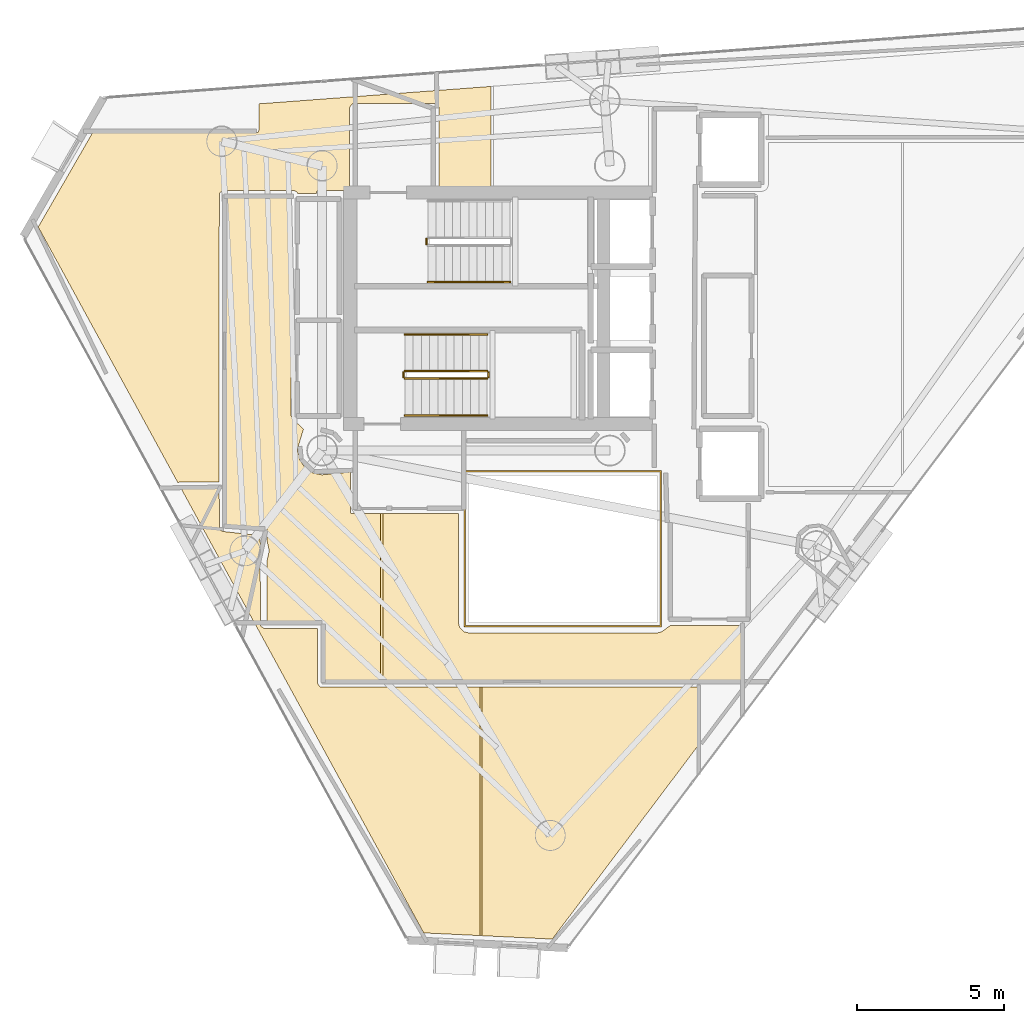
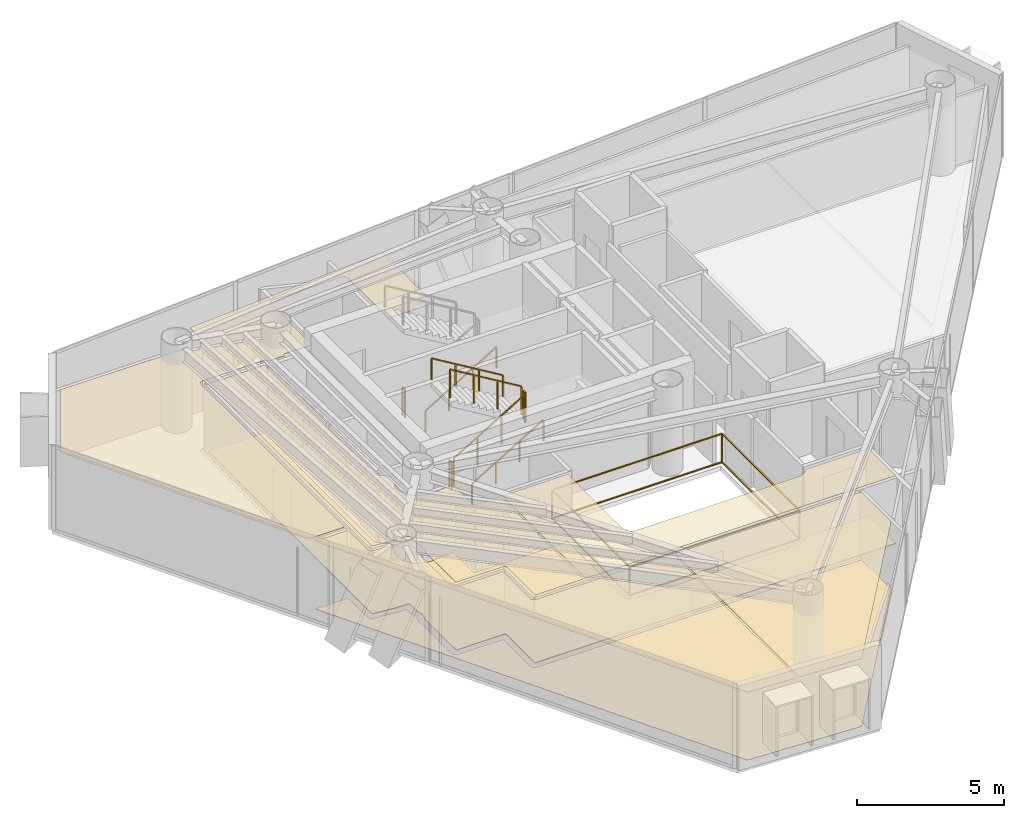
# One storey, part 17 of 19: 9 railings, 7 coverings.
"""IFC4 building model written with IfcOpenShell, lengths in metres."""

from ifc_helpers import new_model, si_unit, direction, frame, origin, origin_2d, place, context, subcontext, project, spatial, polyline, rectangle, outline, extrude, material, layer, layer_set, type_object, element, save


model = new_model("IFC4")

# Units and contexts
model_context = context("Model", 3, precision=1e-05, world=origin(), true_north=direction((0.0, 1.0)))
body_context = subcontext(model_context, "Body", "Model", "MODEL_VIEW")
ifc_project = project(units=[si_unit("LENGTHUNIT", "METRE"), si_unit("AREAUNIT", "SQUARE_METRE"), si_unit("VOLUMEUNIT", "CUBIC_METRE"), si_unit("PLANEANGLEUNIT", "RADIAN"), si_unit("MASSUNIT", "GRAM", prefix="KILO")], contexts=[model_context])

# Site, building, storey
site_placement = place(None, origin())
site = spatial("IfcSite", under=ifc_project, at=site_placement, CompositionType="ELEMENT")
building_placement = place(site_placement, origin())
building = spatial("IfcBuilding", under=site, at=building_placement, Name="Qianvela Tower", CompositionType="ELEMENT")
storey_placement = place(building_placement, frame((0.0, 0.0, 268.60009765625)))
storey = spatial("IfcBuildingStorey", under=building, at=storey_placement, Name="L69", CompositionType="ELEMENT", Elevation=268.60009765625)

# Coverings
ifc_material_1 = material(Name="Perforated Mineral Acoustic Ceiling Tile")
ifc_layer_1 = layer(ifc_material_1, 0.02490234375)
ifc_layer_set_1 = layer_set([ifc_layer_1], Name="Perforated Mineral Acoustic Ceiling Tile")
covering_type_1 = type_object("IfcCoveringType", Name="COV-CEIL-ACOUSTIC-25", PredefinedType="CEILING", material=ifc_layer_set_1)
covering_1_placement = place(storey_placement, frame((0.0, 0.0, 2.81494140625)))
element("IfcCovering", 1, at=covering_1_placement, inside=storey, type_object=covering_type_1, Name="L69 Acoustic Ceiling Bay 1 L69 Floor Corridor", PredefinedType="CEILING", context=body_context, shape_type="SweptSolid", body=[
    extrude(outline(polyline([(27.791015625, 24.010986328125), (27.789794921875, 24.003173828125), (27.775390625, 23.85791015625), (27.77490234375, 23.85009765625), (27.775390625, 23.84228515625), (27.776611328125, 23.83447265625), (27.833251953125, 23.54931640625), (27.835205078125, 23.541748046875), (27.837890625, 23.5341796875), (27.84130859375, 23.527099609375), (27.84521484375, 23.5205078125), (28.006591796875, 23.27880859375), (28.011474609375, 23.2724609375), (28.0166015625, 23.2666015625), (28.0224609375, 23.261474609375), (28.02880859375, 23.256591796875), (28.2705078125, 23.09521484375), (28.277099609375, 23.09130859375), (28.2841796875, 23.087890625), (28.291748046875, 23.085205078125), (28.29931640625, 23.083251953125), (28.58447265625, 23.026611328125), (28.59228515625, 23.025390625), (28.60009765625, 23.02490234375), (28.60791015625, 23.025390625), (29.55810546875, 23.118896484375), (29.55810546875, 21.780029296875), (29.558349609375, 21.772216796875), (29.5595703125, 21.764404296875), (29.561279296875, 21.7568359375), (29.564208984375, 21.74951171875), (29.5673828125, 21.7421875), (29.571533203125, 21.735595703125), (29.576171875, 21.729248046875), (29.581298828125, 21.723388671875), (29.587158203125, 21.71826171875), (29.593505859375, 21.71337890625), (29.600341796875, 21.70947265625), (29.607421875, 21.7060546875), (29.61474609375, 21.703369140625), (29.622314453125, 21.701416015625), (29.630126953125, 21.700439453125), (29.637939453125, 21.699951171875), (30.5888671875, 21.699951171875), (30.5888671875, 16.030029296875), (28.679931640625, 16.030029296875), (28.679931640625, 17.949951171875), (28.6796875, 17.957763671875), (28.678466796875, 17.965576171875), (28.676513671875, 17.97314453125), (28.673828125, 17.980712890625), (28.670654296875, 17.98779296875), (28.66650390625, 17.994384765625), (28.661865234375, 18.000732421875), (28.656494140625, 18.006591796875), (28.65087890625, 18.01171875), (28.644287109375, 18.0166015625), (28.6376953125, 18.0205078125), (28.630615234375, 18.02392578125), (28.623291015625, 18.026611328125), (28.615478515625, 18.028564453125), (28.60791015625, 18.029541015625), (28.60009765625, 18.030029296875), (26.72998046875, 18.030029296875), (26.72998046875, 20.123779296875), (26.795166015625, 20.419921875), (26.79638671875, 20.42822265625), (26.797119140625, 20.43701171875), (26.79638671875, 20.44580078125), (26.795166015625, 20.4541015625), (26.72998046875, 20.75), (26.72998046875, 21.14990234375), (26.7294921875, 21.15771484375), (26.728515625, 21.16552734375), (26.7265625, 21.173095703125), (26.723876953125, 21.1806640625), (26.720703125, 21.187744140625), (26.716552734375, 21.1943359375), (26.7119140625, 21.20068359375), (26.70654296875, 21.20654296875), (26.70068359375, 21.2119140625), (26.6943359375, 21.216552734375), (26.687744140625, 21.220703125), (26.6806640625, 21.223876953125), (26.673095703125, 21.2265625), (26.66552734375, 21.228515625), (26.65771484375, 21.2294921875), (26.64990234375, 21.22998046875), (26.18017578125, 21.22998046875), (25.330078125, 21.32470703125), (25.330078125, 32.469970703125), (27.5400390625, 32.469970703125), (27.5400390625, 25.066650390625), (27.540283203125, 25.05908203125), (27.54150390625, 25.051513671875), (27.543212890625, 25.044189453125), (27.545654296875, 25.037109375), (27.548583984375, 25.0302734375), (27.604736328125, 24.919921875), (27.6083984375, 24.91357421875), (27.612548828125, 24.90771484375), (27.6171875, 24.902099609375), (27.622314453125, 24.89697265625), (27.965087890625, 24.58642578125), (27.792724609375, 24.0185546875), (27.791015625, 24.010986328125)])), origin(), (0.0, 0.0, 1.0), 0.02490234375),
])
covering_2_placement = place(storey_placement, frame((0.0, 0.0, 2.81494140625)))
element("IfcCovering", 2, at=covering_2_placement, inside=storey, type_object=covering_type_1, Name="L69 Acoustic Ceiling Bay 2 L69 Floor Corridor", PredefinedType="CEILING", context=body_context, shape_type="SweptSolid", body=[
    extrude(outline(polyline([(33.239990234375, 21.699951171875), (33.239990234375, 18.0), (33.240478515625, 17.990234375), (33.242431640625, 17.980712890625), (33.275390625, 17.8486328125), (33.277587890625, 17.841796875), (33.2802734375, 17.8349609375), (33.283447265625, 17.82861328125), (33.287353515625, 17.822509765625), (33.29150390625, 17.81689453125), (33.29638671875, 17.811279296875), (33.411376953125, 17.696533203125), (33.41796875, 17.690673828125), (33.4248046875, 17.685791015625), (33.432373046875, 17.681396484375), (33.440185546875, 17.677978515625), (33.448486328125, 17.675537109375), (33.58056640625, 17.642333984375), (33.5869140625, 17.64111328125), (33.593505859375, 17.640380859375), (33.60009765625, 17.639892578125), (40.0, 17.639892578125), (40.006591796875, 17.640380859375), (40.012939453125, 17.64111328125), (40.019287109375, 17.642333984375), (40.1513671875, 17.675537109375), (40.15869140625, 17.677734375), (40.166015625, 17.6806640625), (40.172607421875, 17.68408203125), (40.17919921875, 17.6884765625), (40.459228515625, 17.89306640625), (42.8701171875, 17.89990234375), (42.8701171875, 16.030029296875), (30.6689453125, 16.030029296875), (30.6689453125, 21.699951171875), (33.239990234375, 21.699951171875)])), origin(), (0.0, 0.0, 1.0), 0.02490234375),
])
covering_3_placement = place(storey_placement, frame((0.0, 0.0, 2.81494140625)))
element("IfcCovering", 3, at=covering_3_placement, inside=storey, type_object=covering_type_1, Name="L69 Acoustic Ceiling Bay 1 Student Fitness Gym L69-01", PredefinedType="CEILING", context=body_context, shape_type="SweptSolid", body=[
    extrude(outline(polyline([(25.091064453125, 22.55810546875), (25.10791015625, 21.20166015625), (25.1083984375, 21.194091796875), (25.109619140625, 21.1865234375), (25.111572265625, 21.178955078125), (25.114013671875, 21.171875), (25.117431640625, 21.164794921875), (25.121337890625, 21.158203125), (25.1259765625, 21.152099609375), (25.131103515625, 21.146484375), (25.13671875, 21.14111328125), (25.142822265625, 21.136474609375), (25.1494140625, 21.132568359375), (25.202880859375, 21.103515625), (25.209716796875, 21.10009765625), (25.217041015625, 21.097412109375), (25.224609375, 21.09521484375), (25.232421875, 21.093994140625), (26.157958984375, 20.990966796875), (26.166748046875, 20.990478515625), (26.489990234375, 20.989990234375), (26.490478515625, 20.732666015625), (26.490966796875, 20.72412109375), (26.4921875, 20.715576171875), (26.55322265625, 20.436767578125), (26.49169921875, 20.1494140625), (26.490478515625, 20.14111328125), (26.489990234375, 20.13232421875), (26.49609375, 17.919189453125), (26.49658203125, 17.911376953125), (26.497802734375, 17.903564453125), (26.49951171875, 17.89599609375), (26.502197265625, 17.888671875), (26.505615234375, 17.881591796875), (26.509521484375, 17.875), (26.514404296875, 17.86865234375), (26.51953125, 17.86279296875), (26.525390625, 17.857421875), (26.531494140625, 17.852783203125), (26.605712890625, 17.803466796875), (26.6123046875, 17.79931640625), (26.619384765625, 17.796142578125), (26.626708984375, 17.79345703125), (26.634521484375, 17.79150390625), (26.64208984375, 17.790283203125), (26.64990234375, 17.7900390625), (28.43994140625, 17.7900390625), (28.43994140625, 15.949951171875), (28.4404296875, 15.942138671875), (28.44140625, 15.934326171875), (28.443359375, 15.9267578125), (28.446044921875, 15.91943359375), (28.449462890625, 15.912353515625), (28.45361328125, 15.905517578125), (28.5029296875, 15.83154296875), (28.507568359375, 15.8251953125), (28.5126953125, 15.819580078125), (28.5185546875, 15.814208984375), (28.52490234375, 15.8095703125), (28.53173828125, 15.805419921875), (28.538818359375, 15.80224609375), (28.546142578125, 15.799560546875), (28.5537109375, 15.797607421875), (28.5615234375, 15.79638671875), (28.5693359375, 15.796142578125), (33.9697265625, 15.79345703125), (33.9697265625, 7.330078125), (32.06103515625, 7.421630859375), (23.796142578125, 22.55810546875), (25.091064453125, 22.55810546875)])), origin(), (0.0, 0.0, 1.0), 0.02490234375),
])
covering_4_placement = place(storey_placement, frame((0.0, 0.0, 2.81494140625)))
element("IfcCovering", 4, at=covering_4_placement, inside=storey, type_object=covering_type_1, Name="L69 Acoustic Ceiling Bay 2 Student Fitness Gym L69-01", PredefinedType="CEILING", context=body_context, shape_type="SweptSolid", body=[
    extrude(outline(polyline([(41.3779296875, 15.7900390625), (41.3779296875, 13.76416015625), (36.439208984375, 7.211669921875), (34.0498046875, 7.326171875), (34.0498046875, 15.79345703125), (41.3779296875, 15.7900390625)])), origin(), (0.0, 0.0, 1.0), 0.02490234375),
])
covering_5_placement = place(storey_placement, frame((0.0, 0.0, 2.81494140625)))
element("IfcCovering", 5, at=covering_5_placement, inside=storey, type_object=covering_type_1, Name="L69 Acoustic Ceiling Bay 1 Student Reading Library L69-03", PredefinedType="CEILING", context=body_context, shape_type="SweptSolid", body=[
    extrude(outline(polyline([(34.358154296875, 36.255615234375), (34.358154296875, 32.77001953125), (32.580078125, 32.77001953125), (32.580078125, 35.52001953125), (32.57958984375, 35.52783203125), (32.57861328125, 35.53564453125), (32.57666015625, 35.543212890625), (32.573974609375, 35.550537109375), (32.550537109375, 35.607177734375), (32.547119140625, 35.6142578125), (32.543212890625, 35.62109375), (32.538330078125, 35.627197265625), (32.533203125, 35.633056640625), (32.52734375, 35.638427734375), (32.52099609375, 35.64306640625), (32.514404296875, 35.647216796875), (32.507080078125, 35.650390625), (32.45068359375, 35.673828125), (32.443115234375, 35.676513671875), (32.435546875, 35.678466796875), (32.427734375, 35.6796875), (32.419921875, 35.679931640625), (29.669189453125, 35.673828125), (29.661376953125, 35.673583984375), (29.653564453125, 35.67236328125), (29.64599609375, 35.67041015625), (29.638671875, 35.667724609375), (29.631591796875, 35.664306640625), (29.625, 35.660400390625), (29.61865234375, 35.65576171875), (29.61279296875, 35.650390625), (29.607421875, 35.64453125), (29.602783203125, 35.638427734375), (29.553466796875, 35.564453125), (29.54931640625, 35.5576171875), (29.546142578125, 35.550537109375), (29.54345703125, 35.543212890625), (29.54150390625, 35.53564453125), (29.540283203125, 35.52783203125), (29.5400390625, 35.52001953125), (29.5400390625, 32.700439453125), (28.54296875, 32.709716796875), (28.53662109375, 32.70947265625), (28.530029296875, 32.708740234375), (28.4677734375, 32.69921875), (28.460205078125, 32.697509765625), (28.452880859375, 32.6953125), (28.446044921875, 32.6923828125), (28.439208984375, 32.688720703125), (28.432861328125, 32.6845703125), (28.427001953125, 32.6796875), (28.42138671875, 32.674560546875), (28.41650390625, 32.668701171875), (28.412109375, 32.662353515625), (28.408447265625, 32.65576171875), (28.405517578125, 32.648681640625), (28.403076171875, 32.6416015625), (28.4013671875, 32.634033203125), (28.400390625, 32.62646484375), (28.39892578125, 32.609619140625), (27.7626953125, 32.607666015625), (27.759521484375, 32.6201171875), (27.757080078125, 32.62744140625), (27.754150390625, 32.634765625), (27.75048828125, 32.6416015625), (27.74609375, 32.648193359375), (27.7412109375, 32.654296875), (27.735595703125, 32.659912109375), (27.7294921875, 32.6650390625), (27.722900390625, 32.66943359375), (27.716064453125, 32.673095703125), (27.654296875, 32.702392578125), (27.647705078125, 32.705078125), (27.64111328125, 32.707275390625), (27.634033203125, 32.708740234375), (27.627197265625, 32.709716796875), (27.6201171875, 32.7099609375), (25.25, 32.7099609375), (25.2421875, 32.709716796875), (25.234375, 32.70849609375), (25.226806640625, 32.70654296875), (25.219482421875, 32.703857421875), (25.21240234375, 32.70068359375), (25.20556640625, 32.696533203125), (25.131591796875, 32.647216796875), (25.125244140625, 32.642578125), (25.119384765625, 32.63720703125), (25.1142578125, 32.63134765625), (25.109619140625, 32.625), (25.10546875, 32.618408203125), (25.102294921875, 32.611328125), (25.099609375, 32.60400390625), (25.09765625, 32.59619140625), (25.096435546875, 32.58837890625), (25.09619140625, 32.580810546875), (25.090087890625, 22.780029296875), (23.75830078125, 22.780029296875), (23.75146484375, 22.77978515625), (23.744873046875, 22.77880859375), (23.73828125, 22.777587890625), (23.6826171875, 22.76318359375), (18.9296875, 31.46630859375), (20.781982421875, 34.677978515625), (26.362060546875, 34.677978515625), (26.369873046875, 34.678466796875), (26.377685546875, 34.679443359375), (26.38525390625, 34.681396484375), (26.392578125, 34.68408203125), (26.399658203125, 34.6875), (26.406494140625, 34.69140625), (26.412841796875, 34.6962890625), (26.418701171875, 34.701416015625), (26.423828125, 34.707275390625), (26.428466796875, 34.713623046875), (26.4326171875, 34.72021484375), (26.435791015625, 34.727294921875), (26.438720703125, 34.73486328125), (26.4404296875, 34.742431640625), (26.441650390625, 34.750244140625), (26.44189453125, 34.758056640625), (26.44189453125, 35.662109375), (34.358154296875, 36.255615234375)])), origin(), (0.0, 0.0, 1.0), 0.02490234375),
])
ifc_material_2 = material(Name="Engineered Acoustic Oak Timber Flooring", Category="wood")
ifc_layer_2 = layer(ifc_material_2, 0.02001953125)
ifc_layer_set_2 = layer_set([ifc_layer_2], Name="Engineered Acoustic Oak Timber Flooring")
covering_type_2 = type_object("IfcCoveringType", Name="COV-FLOOR-OAK-20", PredefinedType="FLOORING", material=ifc_layer_set_2)
covering_6_placement = place(storey_placement, origin())
element("IfcCovering", 6, at=covering_6_placement, inside=storey, type_object=covering_type_2, Name="L69 Finish Flooring Student Fitness Gym L69-01", PredefinedType="FLOORING", context=body_context, shape_type="SweptSolid", body=[
    extrude(outline(polyline([(23.796142578125, 22.55810546875), (25.091064453125, 22.55810546875), (25.10791015625, 21.20166015625), (25.1083984375, 21.194091796875), (25.109619140625, 21.1865234375), (25.111572265625, 21.178955078125), (25.114013671875, 21.171875), (25.117431640625, 21.164794921875), (25.121337890625, 21.158203125), (25.1259765625, 21.152099609375), (25.131103515625, 21.146484375), (25.13671875, 21.14111328125), (25.142822265625, 21.136474609375), (25.1494140625, 21.132568359375), (25.202880859375, 21.103515625), (25.209716796875, 21.10009765625), (25.217041015625, 21.097412109375), (25.224609375, 21.09521484375), (25.232421875, 21.093994140625), (26.157958984375, 20.990966796875), (26.166748046875, 20.990478515625), (26.489990234375, 20.989990234375), (26.490478515625, 20.732666015625), (26.490966796875, 20.72412109375), (26.4921875, 20.715576171875), (26.55322265625, 20.436767578125), (26.49169921875, 20.1494140625), (26.490478515625, 20.14111328125), (26.489990234375, 20.13232421875), (26.49609375, 17.919189453125), (26.49658203125, 17.911376953125), (26.497802734375, 17.903564453125), (26.49951171875, 17.89599609375), (26.502197265625, 17.888671875), (26.505615234375, 17.881591796875), (26.509521484375, 17.875), (26.514404296875, 17.86865234375), (26.51953125, 17.86279296875), (26.525390625, 17.857421875), (26.531494140625, 17.852783203125), (26.605712890625, 17.803466796875), (26.6123046875, 17.79931640625), (26.619384765625, 17.796142578125), (26.626708984375, 17.79345703125), (26.634521484375, 17.79150390625), (26.64208984375, 17.790283203125), (26.64990234375, 17.7900390625), (28.43994140625, 17.7900390625), (28.43994140625, 15.949951171875), (28.4404296875, 15.942138671875), (28.44140625, 15.934326171875), (28.443359375, 15.9267578125), (28.446044921875, 15.91943359375), (28.449462890625, 15.912353515625), (28.45361328125, 15.905517578125), (28.5029296875, 15.83154296875), (28.507568359375, 15.8251953125), (28.5126953125, 15.819580078125), (28.5185546875, 15.814208984375), (28.52490234375, 15.8095703125), (28.53173828125, 15.805419921875), (28.538818359375, 15.80224609375), (28.546142578125, 15.799560546875), (28.5537109375, 15.797607421875), (28.5615234375, 15.79638671875), (28.5693359375, 15.796142578125), (41.3779296875, 15.7900390625), (41.3779296875, 13.76416015625), (36.439208984375, 7.211669921875), (32.06103515625, 7.421630859375), (23.796142578125, 22.55810546875)])), origin(), (0.0, 0.0, 1.0), 0.02001953125),
])
ifc_material_3 = material(Name="Honed Stone Terrazzo Flooring", Category="masonry")
ifc_layer_3 = layer(ifc_material_3, 0.030029296875)
ifc_layer_set_3 = layer_set([ifc_layer_3], Name="Honed Stone Terrazzo Flooring")
covering_type_3 = type_object("IfcCoveringType", Name="COV-FLOOR-TERRAZZO-30", PredefinedType="FLOORING", material=ifc_layer_set_3)
covering_7_placement = place(storey_placement, origin())
element("IfcCovering", 7, at=covering_7_placement, inside=storey, type_object=covering_type_3, Name="L69 Finish Flooring L69 Floor Corridor", PredefinedType="FLOORING", context=body_context, shape_type="SweptSolid", body=[
    extrude(outline(polyline([(27.792724609375, 24.0185546875), (27.791015625, 24.010986328125), (27.789794921875, 24.003173828125), (27.775390625, 23.85791015625), (27.77490234375, 23.85009765625), (27.775390625, 23.84228515625), (27.776611328125, 23.83447265625), (27.833251953125, 23.54931640625), (27.835205078125, 23.541748046875), (27.837890625, 23.5341796875), (27.84130859375, 23.527099609375), (27.84521484375, 23.5205078125), (28.006591796875, 23.27880859375), (28.011474609375, 23.2724609375), (28.0166015625, 23.2666015625), (28.0224609375, 23.261474609375), (28.02880859375, 23.256591796875), (28.2705078125, 23.09521484375), (28.277099609375, 23.09130859375), (28.2841796875, 23.087890625), (28.291748046875, 23.085205078125), (28.29931640625, 23.083251953125), (28.58447265625, 23.026611328125), (28.59228515625, 23.025390625), (28.60009765625, 23.02490234375), (28.60791015625, 23.025390625), (29.55810546875, 23.118896484375), (29.55810546875, 21.780029296875), (29.558349609375, 21.772216796875), (29.5595703125, 21.764404296875), (29.561279296875, 21.7568359375), (29.564208984375, 21.74951171875), (29.5673828125, 21.7421875), (29.571533203125, 21.735595703125), (29.576171875, 21.729248046875), (29.581298828125, 21.723388671875), (29.587158203125, 21.71826171875), (29.593505859375, 21.71337890625), (29.600341796875, 21.70947265625), (29.607421875, 21.7060546875), (29.61474609375, 21.703369140625), (29.622314453125, 21.701416015625), (29.630126953125, 21.700439453125), (29.637939453125, 21.699951171875), (33.239990234375, 21.699951171875), (33.239990234375, 18.0), (33.240478515625, 17.990234375), (33.242431640625, 17.980712890625), (33.275390625, 17.8486328125), (33.277587890625, 17.841796875), (33.2802734375, 17.8349609375), (33.283447265625, 17.82861328125), (33.287353515625, 17.822509765625), (33.29150390625, 17.81689453125), (33.29638671875, 17.811279296875), (33.411376953125, 17.696533203125), (33.41796875, 17.690673828125), (33.4248046875, 17.685791015625), (33.432373046875, 17.681396484375), (33.440185546875, 17.677978515625), (33.448486328125, 17.675537109375), (33.58056640625, 17.642333984375), (33.5869140625, 17.64111328125), (33.593505859375, 17.640380859375), (33.60009765625, 17.639892578125), (40.0, 17.639892578125), (40.006591796875, 17.640380859375), (40.012939453125, 17.64111328125), (40.019287109375, 17.642333984375), (40.1513671875, 17.675537109375), (40.15869140625, 17.677734375), (40.166015625, 17.6806640625), (40.172607421875, 17.68408203125), (40.17919921875, 17.6884765625), (40.459228515625, 17.89306640625), (42.8701171875, 17.89990234375), (42.8701171875, 16.030029296875), (28.679931640625, 16.030029296875), (28.679931640625, 17.949951171875), (28.6796875, 17.957763671875), (28.678466796875, 17.965576171875), (28.676513671875, 17.97314453125), (28.673828125, 17.980712890625), (28.670654296875, 17.98779296875), (28.66650390625, 17.994384765625), (28.661865234375, 18.000732421875), (28.656494140625, 18.006591796875), (28.65087890625, 18.01171875), (28.644287109375, 18.0166015625), (28.6376953125, 18.0205078125), (28.630615234375, 18.02392578125), (28.623291015625, 18.026611328125), (28.615478515625, 18.028564453125), (28.60791015625, 18.029541015625), (28.60009765625, 18.030029296875), (26.72998046875, 18.030029296875), (26.72998046875, 20.123779296875), (26.795166015625, 20.419921875), (26.79638671875, 20.42822265625), (26.797119140625, 20.43701171875), (26.79638671875, 20.44580078125), (26.795166015625, 20.4541015625), (26.72998046875, 20.75), (26.72998046875, 21.14990234375), (26.7294921875, 21.15771484375), (26.728515625, 21.16552734375), (26.7265625, 21.173095703125), (26.723876953125, 21.1806640625), (26.720703125, 21.187744140625), (26.716552734375, 21.1943359375), (26.7119140625, 21.20068359375), (26.70654296875, 21.20654296875), (26.70068359375, 21.2119140625), (26.6943359375, 21.216552734375), (26.687744140625, 21.220703125), (26.6806640625, 21.223876953125), (26.673095703125, 21.2265625), (26.66552734375, 21.228515625), (26.65771484375, 21.2294921875), (26.64990234375, 21.22998046875), (26.18017578125, 21.22998046875), (25.330078125, 21.32470703125), (25.330078125, 32.469970703125), (27.5400390625, 32.469970703125), (27.5400390625, 25.066650390625), (27.540283203125, 25.05908203125), (27.54150390625, 25.051513671875), (27.543212890625, 25.044189453125), (27.545654296875, 25.037109375), (27.548583984375, 25.0302734375), (27.604736328125, 24.919921875), (27.6083984375, 24.91357421875), (27.612548828125, 24.90771484375), (27.6171875, 24.902099609375), (27.622314453125, 24.89697265625), (27.965087890625, 24.58642578125), (27.792724609375, 24.0185546875)])), origin(), (0.0, 0.0, 1.0), 0.02978515625),
])

# Railings
ifc_material_4 = material(Name="Laminated Safety Glass and Stainless Steel 316", Category="steel")
railing_type_1 = type_object("IfcRailingType", Name="RL-ATRIUM-GUARD-1250", PredefinedType="GUARDRAIL", material=ifc_material_4)
railing_1_placement = place(storey_placement, frame((33.4599609375, 17.860107421875, 0.0)))
element("IfcRailing", 8, at=railing_1_placement, inside=storey, type_object=railing_type_1, Name="L69 Atrium Edge Guardrail 1", PredefinedType="GUARDRAIL", context=body_context, shape_type="SweptSolid", body=[
    extrude(rectangle(XDim=0.050048828125, YDim=0.0400390625, at=origin_2d()), frame((0.0, 0.0, 1.22998046875), z_axis=(0.0, 1.0, 0.0), x_axis=(-1.0, 0.0, 0.0)), (0.0, 0.0, 1.0), 5.27978515625),
    extrude(rectangle(XDim=0.050048828125, YDim=0.0400390625, at=origin_2d()), frame((0.0, 0.0, 0.050048828125), z_axis=(0.0, 1.0, 0.0), x_axis=(-1.0, 0.0, 0.0)), (0.0, 0.0, 1.0), 5.27978515625),
    extrude(rectangle(XDim=0.050048828125, YDim=0.0400390625, at=origin_2d()), frame((0.0, 5.27978515625, 1.22998046875), z_axis=(1.0, 0.0, 0.0), x_axis=(0.0, 1.0, 0.0)), (0.0, 0.0, 1.0), 6.679931640625),
    extrude(rectangle(XDim=0.050048828125, YDim=0.0400390625, at=origin_2d()), frame((0.0, 5.27978515625, 0.050048828125), z_axis=(1.0, 0.0, 0.0), x_axis=(0.0, 1.0, 0.0)), (0.0, 0.0, 1.0), 6.679931640625),
    extrude(rectangle(XDim=0.050048828125, YDim=0.0400390625, at=origin_2d()), frame((6.679931640625, 5.27978515625, 1.22998046875), z_axis=(0.0, -1.0, 0.0), x_axis=(1.0, 0.0, 0.0)), (0.0, 0.0, 1.0), 5.27978515625),
    extrude(rectangle(XDim=0.050048828125, YDim=0.0400390625, at=origin_2d()), frame((6.679931640625, 5.27978515625, 0.050048828125), z_axis=(0.0, -1.0, 0.0), x_axis=(1.0, 0.0, 0.0)), (0.0, 0.0, 1.0), 5.27978515625),
    extrude(rectangle(XDim=0.050048828125, YDim=0.0400390625, at=origin_2d()), frame((6.679931640625, 0.0, 1.22998046875), z_axis=(-1.0, 0.0, 0.0), x_axis=(0.0, -1.0, 0.0)), (0.0, 0.0, 1.0), 6.679931640625),
    extrude(rectangle(XDim=0.050048828125, YDim=0.0400390625, at=origin_2d()), frame((6.679931640625, 0.0, 0.050048828125), z_axis=(-1.0, 0.0, 0.0), x_axis=(0.0, -1.0, 0.0)), (0.0, 0.0, 1.0), 6.679931640625),
    extrude(rectangle(XDim=0.050048828125, YDim=0.050048828125, at=origin_2d()), origin(), (0.0, 0.0, 1.0), 1.2099609375),
    extrude(rectangle(XDim=0.050048828125, YDim=0.050048828125, at=origin_2d()), frame((0.0, 5.27978515625, 0.0)), (0.0, 0.0, 1.0), 1.2099609375),
    extrude(rectangle(XDim=0.050048828125, YDim=0.050048828125, at=origin_2d()), frame((6.679931640625, 5.27978515625, 0.0)), (0.0, 0.0, 1.0), 1.2099609375),
    extrude(rectangle(XDim=0.050048828125, YDim=0.050048828125, at=origin_2d()), frame((6.679931640625, 0.0, 0.0)), (0.0, 0.0, 1.0), 1.2099609375),
])
ifc_material_5 = material(Name="Painted Tubular Steel Q355B", Category="steel")
railing_type_2 = type_object("IfcRailingType", Name="RL-STAIR-GUARD-1200", PredefinedType="GUARDRAIL", material=ifc_material_5)
railing_2_placement = place(storey_placement, frame((32.14990234375, 30.889892578125, 0.0)))
element("IfcRailing", 9, at=railing_2_placement, inside=storey, type_object=railing_type_2, Name="L69 ST-1 stair guard 4", PredefinedType="GUARDRAIL", context=body_context, shape_type="SweptSolid", body=[
    extrude(rectangle(XDim=0.050048828125, YDim=0.0400390625, at=origin_2d()), frame((0.0, 0.0, 1.179931640625), z_axis=(0.0, 1.0, 0.0), x_axis=(-1.0, 0.0, 0.0)), (0.0, 0.0, 1.0), 0.16015625),
    extrude(rectangle(XDim=0.050048828125, YDim=0.050048828125, at=origin_2d()), origin(), (0.0, 0.0, 1.0), 1.159912109375),
    extrude(rectangle(XDim=0.050048828125, YDim=0.050048828125, at=origin_2d()), frame((0.0, 0.16015625, 0.0)), (0.0, 0.0, 1.0), 1.159912109375),
])
railing_3_placement = place(storey_placement, frame((31.419921875, 26.300048828125, 0.16796875)))
element("IfcRailing", 10, at=railing_3_placement, inside=storey, type_object=railing_type_2, Name="L69 ST-2 stair guard 1", PredefinedType="GUARDRAIL", context=body_context, shape_type="SweptSolid", body=[
    extrude(rectangle(XDim=0.050048828125, YDim=0.0400390625, at=origin_2d()), frame((0.0, 0.0, 1.179931640625), z_axis=(0.857242210791, 0.0, 0.514913383045), x_axis=(0.0, 1.0, 0.0)), (0.0, 0.0, 1.0), 3.266357421875),
    extrude(rectangle(XDim=0.050048828125, YDim=0.050048828125, at=origin_2d()), origin(), (0.0, 0.0, 1.0), 1.159912109375),
    extrude(rectangle(XDim=0.050048828125, YDim=0.050048828125, at=origin_2d()), frame((0.933349609375, 0.0, 0.560546875)), (0.0, 0.0, 1.0), 1.159912109375),
    extrude(rectangle(XDim=0.050048828125, YDim=0.050048828125, at=origin_2d()), frame((1.86669921875, 0.0, 1.121337890625)), (0.0, 0.0, 1.0), 1.159912109375),
    extrude(rectangle(XDim=0.050048828125, YDim=0.050048828125, at=origin_2d()), frame((2.800048828125, 0.0, 1.681884765625)), (0.0, 0.0, 1.0), 1.159912109375),
])
railing_4_placement = place(storey_placement, frame((34.27001953125, 26.35009765625, 1.849853515625)))
element("IfcRailing", 11, at=railing_4_placement, inside=storey, type_object=railing_type_2, Name="L69 ST-2 stair guard 2", PredefinedType="GUARDRAIL", context=body_context, shape_type="SweptSolid", body=[
    extrude(rectangle(XDim=0.050048828125, YDim=0.0400390625, at=origin_2d()), frame((0.0, 0.0, 1.179931640625), z_axis=(0.0, 1.0, 0.0), x_axis=(-1.0, 0.0, 0.0)), (0.0, 0.0, 1.0), 0.159912109375),
    extrude(rectangle(XDim=0.050048828125, YDim=0.050048828125, at=origin_2d()), origin(), (0.0, 0.0, 1.0), 1.159912109375),
    extrude(rectangle(XDim=0.050048828125, YDim=0.050048828125, at=origin_2d()), frame((0.0, 0.159912109375, 0.0)), (0.0, 0.0, 1.0), 1.159912109375),
])
railing_5_placement = place(storey_placement, frame((34.219970703125, 26.56005859375, 2.01806640625)))
element("IfcRailing", 12, at=railing_5_placement, inside=storey, type_object=railing_type_2, Name="L69 ST-2 stair guard 3", PredefinedType="GUARDRAIL", context=body_context, shape_type="SweptSolid", body=[
    extrude(rectangle(XDim=0.050048828125, YDim=0.0400390625, at=origin_2d()), frame((0.0, 0.0, 1.179931640625), z_axis=(-0.857242210791, 0.0, 0.514913383045), x_axis=(0.0, -1.0, 0.0)), (0.0, 0.0, 1.0), 3.266357421875),
    extrude(rectangle(XDim=0.050048828125, YDim=0.050048828125, at=origin_2d()), origin(), (0.0, 0.0, 1.0), 1.159912109375),
    extrude(rectangle(XDim=0.050048828125, YDim=0.050048828125, at=origin_2d()), frame((-0.933349609375, 0.0, 0.560546875)), (0.0, 0.0, 1.0), 1.159912109375),
    extrude(rectangle(XDim=0.050048828125, YDim=0.050048828125, at=origin_2d()), frame((-1.86669921875, 0.0, 1.121337890625)), (0.0, 0.0, 1.0), 1.159912109375),
    extrude(rectangle(XDim=0.050048828125, YDim=0.050048828125, at=origin_2d()), frame((-2.800048828125, 0.0, 1.681884765625)), (0.0, 0.0, 1.0), 1.159912109375),
])
railing_6_placement = place(storey_placement, frame((31.3701171875, 26.35009765625, 0.0)))
element("IfcRailing", 13, at=railing_6_placement, inside=storey, type_object=railing_type_2, Name="L69 ST-2 stair guard 4", PredefinedType="GUARDRAIL", context=body_context, shape_type="SweptSolid", body=[
    extrude(rectangle(XDim=0.050048828125, YDim=0.0400390625, at=origin_2d()), frame((0.0, 0.0, 1.179931640625), z_axis=(0.0, 1.0, 0.0), x_axis=(-1.0, 0.0, 0.0)), (0.0, 0.0, 1.0), 0.159912109375),
    extrude(rectangle(XDim=0.050048828125, YDim=0.050048828125, at=origin_2d()), origin(), (0.0, 0.0, 1.0), 1.159912109375),
    extrude(rectangle(XDim=0.050048828125, YDim=0.050048828125, at=origin_2d()), frame((0.0, 0.159912109375, 0.0)), (0.0, 0.0, 1.0), 1.159912109375),
])
ifc_material_6 = material(Name="Brushed Stainless Steel 304", Category="steel")
railing_type_3 = type_object("IfcRailingType", Name="RL-STAIR-HANDRAIL-900", PredefinedType="HANDRAIL", material=ifc_material_6)
for number, where, name in (
    (14, (32.199951171875, 29.590087890625, 0.16796875), "L69 ST-1 stair handrail 1"),
    (15, (31.419921875, 25.050048828125, 0.16796875), "L69 ST-2 stair handrail 1"),
):
    element("IfcRailing", number, at=place(storey_placement, frame(where)), inside=storey, type_object=railing_type_3, Name=name, PredefinedType="HANDRAIL", context=body_context, shape_type="SweptSolid", body=[
        extrude(rectangle(XDim=0.050048828125, YDim=0.0400390625, at=origin_2d()), frame((0.0, 0.0, 0.8798828125), z_axis=(0.857242210791, 0.0, 0.514913383045), x_axis=(0.0, 1.0, 0.0)), (0.0, 0.0, 1.0), 3.266357421875),
        extrude(rectangle(XDim=0.050048828125, YDim=0.050048828125, at=origin_2d()), origin(), (0.0, 0.0, 1.0), 0.85986328125),
        extrude(rectangle(XDim=0.050048828125, YDim=0.050048828125, at=origin_2d()), frame((0.933349609375, 0.0, 0.560546875)), (0.0, 0.0, 1.0), 0.85986328125),
        extrude(rectangle(XDim=0.050048828125, YDim=0.050048828125, at=origin_2d()), frame((1.86669921875, 0.0, 1.121337890625)), (0.0, 0.0, 1.0), 0.85986328125),
        extrude(rectangle(XDim=0.050048828125, YDim=0.050048828125, at=origin_2d()), frame((2.800048828125, 0.0, 1.681884765625)), (0.0, 0.0, 1.0), 0.85986328125),
    ])
railing_7_placement = place(storey_placement, frame((34.219970703125, 27.81005859375, 2.01806640625)))
element("IfcRailing", 16, at=railing_7_placement, inside=storey, type_object=railing_type_3, Name="L69 ST-2 stair handrail 2", PredefinedType="HANDRAIL", context=body_context, shape_type="SweptSolid", body=[
    extrude(rectangle(XDim=0.050048828125, YDim=0.0400390625, at=origin_2d()), frame((0.0, 0.0, 0.8798828125), z_axis=(-0.857242210791, 0.0, 0.514913383045), x_axis=(0.0, -1.0, 0.0)), (0.0, 0.0, 1.0), 3.266357421875),
    extrude(rectangle(XDim=0.050048828125, YDim=0.050048828125, at=origin_2d()), origin(), (0.0, 0.0, 1.0), 0.85986328125),
    extrude(rectangle(XDim=0.050048828125, YDim=0.050048828125, at=origin_2d()), frame((-0.933349609375, 0.0, 0.560546875)), (0.0, 0.0, 1.0), 0.85986328125),
    extrude(rectangle(XDim=0.050048828125, YDim=0.050048828125, at=origin_2d()), frame((-1.86669921875, 0.0, 1.121337890625)), (0.0, 0.0, 1.0), 0.85986328125),
    extrude(rectangle(XDim=0.050048828125, YDim=0.050048828125, at=origin_2d()), frame((-2.800048828125, 0.0, 1.681884765625)), (0.0, 0.0, 1.0), 0.85986328125),
])

save(model, "model.ifc")
